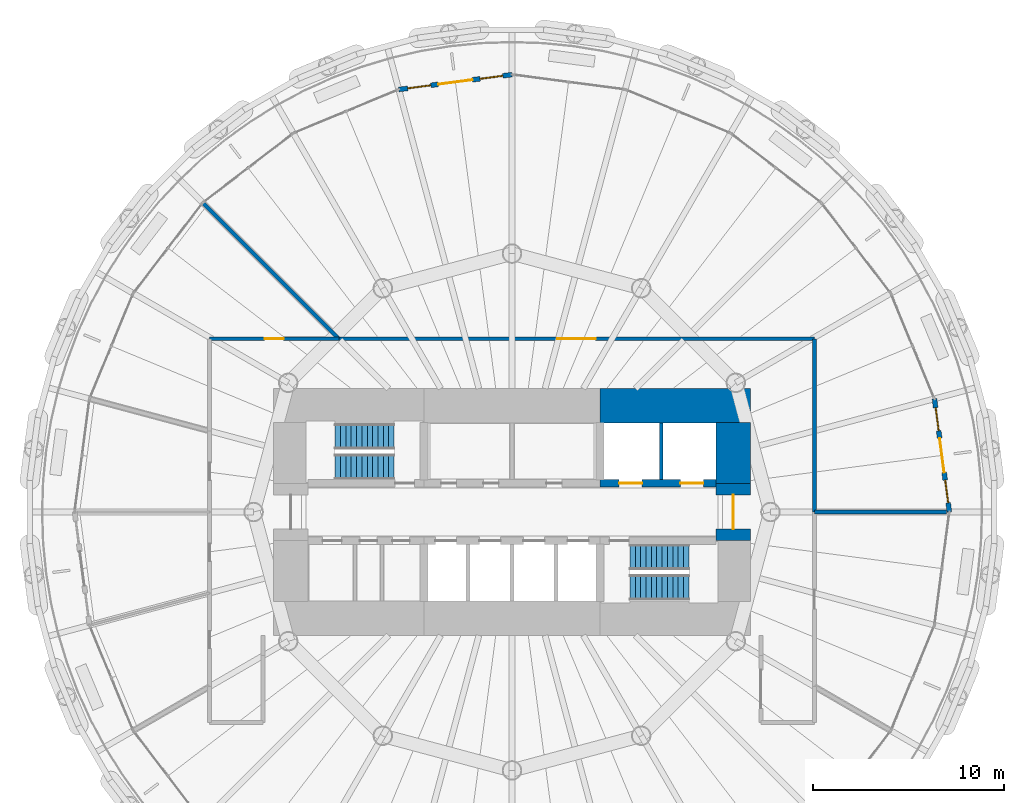
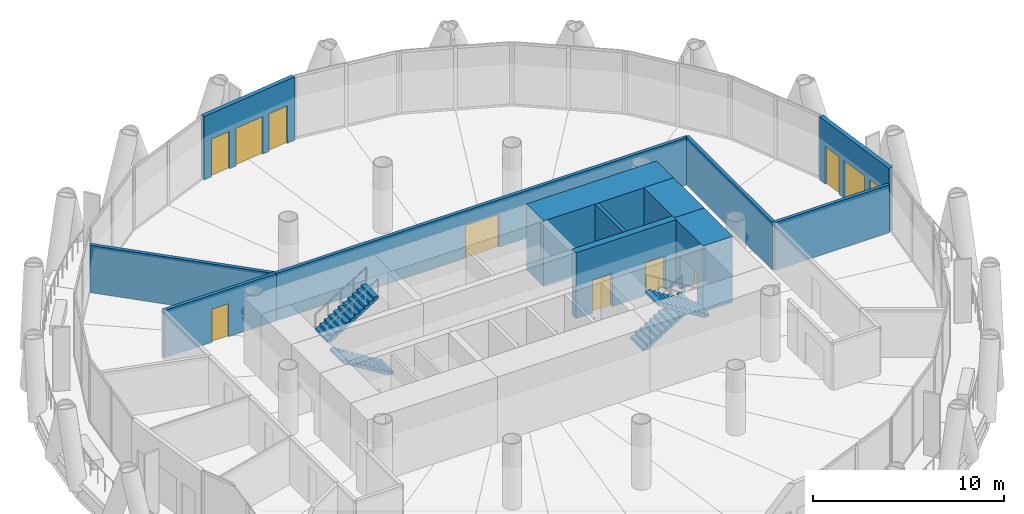
# One storey, part 11 of 15: 12 walls, 7 doors, 4 stair flights, 4 windows, 11 openings, 2 elements without a shape of their own.
"""IFC4 building model written with IfcOpenShell, lengths in metres."""

from ifc_helpers import new_model, si_unit, direction, frame, frame_2d, origin, place, context, subcontext, project, spatial, polyline, rectangle, outline, extrude, material, layer, layer_set, type_object, element, fill, aggregate, save


model = new_model("IFC4")

# Units and contexts
model_context = context("Model", 3, precision=1e-05, world=origin(), true_north=direction((0.0, 1.0)))
body_context = subcontext(model_context, "Body", "Model", "MODEL_VIEW")
ifc_project = project(units=[si_unit("LENGTHUNIT", "METRE"), si_unit("AREAUNIT", "SQUARE_METRE"), si_unit("VOLUMEUNIT", "CUBIC_METRE"), si_unit("PLANEANGLEUNIT", "RADIAN"), si_unit("MASSUNIT", "GRAM", prefix="KILO")], contexts=[model_context])

# Site, building, storey
site_placement = place(None, origin())
site = spatial("IfcSite", under=ifc_project, at=site_placement, CompositionType="ELEMENT")
building_placement = place(site_placement, origin())
building = spatial("IfcBuilding", under=site, at=building_placement, Name="Qaws Media Tower", CompositionType="ELEMENT")
storey_placement = place(building_placement, frame((0.0, 0.0, 114.199951171875)))
storey = spatial("IfcBuildingStorey", under=building, at=storey_placement, Name="L25", CompositionType="ELEMENT", Elevation=114.199951171875)

# Wall, openings, door, windows
ifc_material_1 = material(Name="Precast concrete, exposed finish", Category="concrete")
ifc_layer_1 = layer(ifc_material_1, 0.25)
ifc_layer_set_1 = layer_set([ifc_layer_1], Name="Balcony door wall 250")
wall_type_1 = type_object("IfcWallType", Name="Balcony door wall 250", PredefinedType="SOLIDWALL", material=ifc_layer_set_1)
wall_1_placement = place(storey_placement, frame((82.85009765625, 50.0, 0.0), z_axis=(0.0, 0.0, 1.0), x_axis=(-0.130560384174, 0.991440359318, 0.0)))
wall_1 = element("IfcWall", 1, at=wall_1_placement, inside=storey, type_object=wall_type_1, Name="W144 EW1 balcony door wall L25-01", PredefinedType="SOLIDWALL", context=body_context, shape_type="SweptSolid", body=[
    extrude(rectangle(XDim=5.965087890625, YDim=0.25, at=frame_2d((2.982421875, 0.0))), origin(), (0.0, 0.0, 1.0), 4.0400390625),
])
opening_1_placement = place(wall_1_placement, frame((2.08251953125, 0.0, 0.0)))
opening_1 = element("IfcOpeningElement", 2, at=opening_1_placement, cuts=wall_1, Name="Opening D7", PredefinedType="OPENING", context=body_context, shape_type="SweptSolid", body=[
    extrude(rectangle(XDim=1.800048828125, YDim=2.39990234375, at=frame_2d((0.89990234375, 1.199951171875))), frame((0.0, 0.135009765625, 0.0), z_axis=(0.0, -1.0, 0.0), x_axis=(1.0, 0.0, 0.0)), (0.0, 0.0, 1.0), 0.27001953125),
])
opening_2_placement = place(wall_1_placement, frame((0.482421875, 0.0, 0.0)))
opening_2 = element("IfcOpeningElement", 3, at=opening_2_placement, cuts=wall_1, Name="Opening W1", PredefinedType="OPENING", context=body_context, shape_type="SweptSolid", body=[
    extrude(rectangle(XDim=1.199951171875, YDim=2.39990234375, at=frame_2d((0.60009765625, 1.199951171875))), frame((0.0, 0.135009765625, 0.0), z_axis=(0.0, -1.0, 0.0), x_axis=(1.0, 0.0, 0.0)), (0.0, 0.0, 1.0), 0.27001953125),
])
opening_3_placement = place(wall_1_placement, frame((4.282470703125, 0.0, 0.0)))
opening_3 = element("IfcOpeningElement", 4, at=opening_3_placement, cuts=wall_1, Name="Opening W1", PredefinedType="OPENING", context=body_context, shape_type="SweptSolid", body=[
    extrude(rectangle(XDim=1.199951171875, YDim=2.39990234375, at=frame_2d((0.60009765625, 1.199951171875))), frame((0.0, 0.135009765625, 0.0), z_axis=(0.0, -1.0, 0.0), x_axis=(1.0, 0.0, 0.0)), (0.0, 0.0, 1.0), 0.27001953125),
])
ifc_material_2 = material(Name="Aluminium and clear glass", Category="aluminium")
door_type_1 = type_object("IfcDoorType", Name="Balcony door pair 1800", OperationType="DOUBLE_DOOR_SLIDING", PredefinedType="DOOR", material=ifc_material_2)
door_1_placement = place(opening_1_placement, origin())
door_1 = element("IfcDoor", 5, at=door_1_placement, inside=storey, type_object=door_type_1, Name="D7 balcony door L25-01 in wall W144", OperationType="DOUBLE_DOOR_SLIDING", OverallHeight=2.39990234375, OverallWidth=1.800048828125, PredefinedType="DOOR", context=body_context, shape_type="SweptSolid", body=[
    extrude(rectangle(XDim=1.800048828125, YDim=2.39990234375, at=frame_2d((0.89990234375, 1.199951171875))), frame((0.0, 0.02490234375, 0.0), z_axis=(0.0, -1.0, 0.0), x_axis=(1.0, 0.0, 0.0)), (0.0, 0.0, 1.0), 0.050048828125),
])
fill(opening_1, door_1)
ifc_material_3 = material(Name="Aluminium and clear glass", Category="aluminium")
window_type = type_object("IfcWindowType", Name="Balcony side window 1200", PartitioningType="SINGLE_PANEL", PredefinedType="WINDOW", material=ifc_material_3)
window_1_placement = place(opening_2_placement, origin())
window_1 = element("IfcWindow", 6, at=window_1_placement, inside=storey, type_object=window_type, Name="W1 balcony side light L25-01L", OverallHeight=2.39990234375, OverallWidth=1.199951171875, PartitioningType="SINGLE_PANEL", PredefinedType="WINDOW", context=body_context, shape_type="SweptSolid", body=[
    extrude(rectangle(XDim=1.199951171875, YDim=2.39990234375, at=frame_2d((0.60009765625, 1.199951171875))), frame((0.0, 0.030029296875, 0.0), z_axis=(0.0, -1.0, 0.0), x_axis=(1.0, 0.0, 0.0)), (0.0, 0.0, 1.0), 0.06005859375),
])
fill(opening_2, window_1)
window_2_placement = place(opening_3_placement, origin())
window_2 = element("IfcWindow", 7, at=window_2_placement, inside=storey, type_object=window_type, Name="W1 balcony side light L25-01R", OverallHeight=2.39990234375, OverallWidth=1.199951171875, PartitioningType="SINGLE_PANEL", PredefinedType="WINDOW", context=body_context, shape_type="SweptSolid", body=[
    extrude(rectangle(XDim=1.199951171875, YDim=2.39990234375, at=frame_2d((0.60009765625, 1.199951171875))), frame((0.0, 0.030029296875, 0.0), z_axis=(0.0, -1.0, 0.0), x_axis=(1.0, 0.0, 0.0)), (0.0, 0.0, 1.0), 0.06005859375),
])
fill(opening_3, window_2)

wall_2_placement = place(storey_placement, frame((60.0, 72.85009765625, 0.0), z_axis=(0.0, 0.0, 1.0), x_axis=(-0.991440359318, -0.130560384174, 0.0)))
wall_2 = element("IfcWall", 8, at=wall_2_placement, inside=storey, type_object=wall_type_1, Name="W143 EW1 balcony door wall L25-07", PredefinedType="SOLIDWALL", context=body_context, shape_type="SweptSolid", body=[
    extrude(rectangle(XDim=5.965087890625, YDim=0.25, at=frame_2d((2.982421875, 0.0))), origin(), (0.0, 0.0, 1.0), 4.0400390625),
])
opening_4_placement = place(wall_2_placement, frame((2.08251953125, 0.0, 0.0)))
opening_4 = element("IfcOpeningElement", 9, at=opening_4_placement, cuts=wall_2, Name="Opening D7", PredefinedType="OPENING", context=body_context, shape_type="SweptSolid", body=[
    extrude(rectangle(XDim=1.800048828125, YDim=2.39990234375, at=frame_2d((0.89990234375, 1.199951171875))), frame((0.0, 0.135009765625, 0.0), z_axis=(0.0, -1.0, 0.0), x_axis=(1.0, 0.0, 0.0)), (0.0, 0.0, 1.0), 0.27001953125),
])
opening_5_placement = place(wall_2_placement, frame((0.482421875, 0.0, 0.0)))
opening_5 = element("IfcOpeningElement", 10, at=opening_5_placement, cuts=wall_2, Name="Opening W1", PredefinedType="OPENING", context=body_context, shape_type="SweptSolid", body=[
    extrude(rectangle(XDim=1.199951171875, YDim=2.39990234375, at=frame_2d((0.60009765625, 1.199951171875))), frame((0.0, 0.135009765625, 0.0), z_axis=(0.0, -1.0, 0.0), x_axis=(1.0, 0.0, 0.0)), (0.0, 0.0, 1.0), 0.27001953125),
])
opening_6_placement = place(wall_2_placement, frame((4.282470703125, 0.0, 0.0)))
opening_6 = element("IfcOpeningElement", 11, at=opening_6_placement, cuts=wall_2, Name="Opening W1", PredefinedType="OPENING", context=body_context, shape_type="SweptSolid", body=[
    extrude(rectangle(XDim=1.199951171875, YDim=2.39990234375, at=frame_2d((0.60009765625, 1.199951171875))), frame((0.0, 0.135009765625, 0.0), z_axis=(0.0, -1.0, 0.0), x_axis=(1.0, 0.0, 0.0)), (0.0, 0.0, 1.0), 0.27001953125),
])
door_2_placement = place(opening_4_placement, origin())
door_2 = element("IfcDoor", 12, at=door_2_placement, inside=storey, type_object=door_type_1, Name="D7 balcony door L25-07 in wall W143", OperationType="DOUBLE_DOOR_SLIDING", OverallHeight=2.39990234375, OverallWidth=1.800048828125, PredefinedType="DOOR", context=body_context, shape_type="SweptSolid", body=[
    extrude(rectangle(XDim=1.800048828125, YDim=2.39990234375, at=frame_2d((0.89990234375, 1.199951171875))), frame((0.0, 0.02490234375, 0.0), z_axis=(0.0, -1.0, 0.0), x_axis=(1.0, 0.0, 0.0)), (0.0, 0.0, 1.0), 0.050048828125),
])
fill(opening_4, door_2)
window_3_placement = place(opening_5_placement, origin())
window_3 = element("IfcWindow", 13, at=window_3_placement, inside=storey, type_object=window_type, Name="W1 balcony side light L25-07L", OverallHeight=2.39990234375, OverallWidth=1.199951171875, PartitioningType="SINGLE_PANEL", PredefinedType="WINDOW", context=body_context, shape_type="SweptSolid", body=[
    extrude(rectangle(XDim=1.199951171875, YDim=2.39990234375, at=frame_2d((0.60009765625, 1.199951171875))), frame((0.0, 0.030029296875, 0.0), z_axis=(0.0, -1.0, 0.0), x_axis=(1.0, 0.0, 0.0)), (0.0, 0.0, 1.0), 0.06005859375),
])
fill(opening_5, window_3)
window_4_placement = place(opening_6_placement, origin())
window_4 = element("IfcWindow", 14, at=window_4_placement, inside=storey, type_object=window_type, Name="W1 balcony side light L25-07R", OverallHeight=2.39990234375, OverallWidth=1.199951171875, PartitioningType="SINGLE_PANEL", PredefinedType="WINDOW", context=body_context, shape_type="SweptSolid", body=[
    extrude(rectangle(XDim=1.199951171875, YDim=2.39990234375, at=frame_2d((0.60009765625, 1.199951171875))), frame((0.0, 0.030029296875, 0.0), z_axis=(0.0, -1.0, 0.0), x_axis=(1.0, 0.0, 0.0)), (0.0, 0.0, 1.0), 0.06005859375),
])
fill(opening_6, window_4)

# Wall, openings, doors
ifc_material_4 = material(Name="Concrete C60/75", Category="concrete")
ifc_layer_2 = layer(ifc_material_4, 0.39990234375)
ifc_layer_set_2 = layer_set([ifc_layer_2], Name="Core inner wall 400")
wall_type_2 = type_object("IfcWallType", Name="Core inner wall 400", PredefinedType="SHEAR", material=ifc_layer_set_2)
wall_3_placement = place(storey_placement, frame((64.60009765625, 51.5, 0.0), z_axis=(0.0, 0.0, 1.0), x_axis=(1.0, 0.0, 0.0)))
wall_3 = element("IfcWall", 15, at=wall_3_placement, inside=storey, type_object=wall_type_2, Name="W326 SW4 core wall SPNE L25", PredefinedType="SHEAR", context=body_context, shape_type="SweptSolid", body=[
    extrude(rectangle(XDim=6.06982421875, YDim=0.39990234375, at=frame_2d((3.034912109375, 0.0))), origin(), (0.0, 0.0, 1.0), 4.199951171875),
])
opening_7_placement = place(wall_3_placement, frame((1.0, 0.0, 0.0)))
opening_7 = element("IfcOpeningElement", 16, at=opening_7_placement, cuts=wall_3, Name="Opening LD2", PredefinedType="OPENING", context=body_context, shape_type="SweptSolid", body=[
    extrude(rectangle(XDim=1.199951171875, YDim=2.10009765625, at=frame_2d((0.60009765625, 1.050048828125))), frame((0.0, 0.2099609375, 0.0), z_axis=(0.0, -1.0, 0.0), x_axis=(1.0, 0.0, 0.0)), (0.0, 0.0, 1.0), 0.419921875),
])
opening_8_placement = place(wall_3_placement, frame((4.199951171875, 0.0, 0.0)))
opening_8 = element("IfcOpeningElement", 17, at=opening_8_placement, cuts=wall_3, Name="Opening LD2", PredefinedType="OPENING", context=body_context, shape_type="SweptSolid", body=[
    extrude(rectangle(XDim=1.199951171875, YDim=2.10009765625, at=frame_2d((0.60009765625, 1.050048828125))), frame((0.0, 0.2099609375, 0.0), z_axis=(0.0, -1.0, 0.0), x_axis=(1.0, 0.0, 0.0)), (0.0, 0.0, 1.0), 0.419921875),
])
ifc_material_5 = material(Name="Steel, fire rated", Category="steel")
door_type_2 = type_object("IfcDoorType", Name="Lift landing door 1200", OperationType="SLIDING_TO_LEFT", PredefinedType="DOOR", material=ifc_material_5)
door_3_placement = place(opening_7_placement, origin())
door_3 = element("IfcDoor", 18, at=door_3_placement, inside=storey, type_object=door_type_2, Name="FL1 landing door L25 in wall W326", OperationType="SLIDING_TO_LEFT", OverallHeight=2.10009765625, OverallWidth=1.199951171875, PredefinedType="DOOR", context=body_context, shape_type="SweptSolid", body=[
    extrude(rectangle(XDim=1.199951171875, YDim=2.10009765625, at=frame_2d((0.60009765625, 1.050048828125))), frame((0.0, 0.02490234375, 0.0), z_axis=(0.0, -1.0, 0.0), x_axis=(1.0, 0.0, 0.0)), (0.0, 0.0, 1.0), 0.050048828125),
])
fill(opening_7, door_3)
door_4_placement = place(opening_8_placement, origin())
door_4 = element("IfcDoor", 19, at=door_4_placement, inside=storey, type_object=door_type_2, Name="FL2 landing door L25 in wall W326", OperationType="SLIDING_TO_LEFT", OverallHeight=2.10009765625, OverallWidth=1.199951171875, PredefinedType="DOOR", context=body_context, shape_type="SweptSolid", body=[
    extrude(rectangle(XDim=1.199951171875, YDim=2.10009765625, at=frame_2d((0.60009765625, 1.050048828125))), frame((0.0, 0.02490234375, 0.0), z_axis=(0.0, -1.0, 0.0), x_axis=(1.0, 0.0, 0.0)), (0.0, 0.0, 1.0), 0.050048828125),
])
fill(opening_8, door_4)

# Wall
ifc_material_6 = material(Name="Concrete C60/75", Category="concrete")
ifc_layer_3 = layer(ifc_material_6, 1.800048828125)
ifc_layer_set_3 = layer_set([ifc_layer_3], Name="Core wall 1800")
wall_type_3 = type_object("IfcWallType", Name="Core wall 1800", PredefinedType="SHEAR", material=ifc_layer_set_3)
wall_4_placement = place(storey_placement, frame((64.60009765625, 55.550048828125, 0.0), z_axis=(0.0, 0.0, 1.0), x_axis=(1.0, 0.0, 0.0)))
element("IfcWall", 20, at=wall_4_placement, inside=storey, type_object=wall_type_3, Name="W423 SW11 core wall NE L25", PredefinedType="SHEAR", context=body_context, shape_type="SweptSolid", body=[
    extrude(rectangle(XDim=7.849853515625, YDim=1.800048828125, at=frame_2d((3.9248046875, 0.0))), origin(), (0.0, 0.0, 1.0), 4.199951171875),
])

# Wall, opening, door
wall_5_placement = place(storey_placement, frame((71.550048828125, 48.5, 0.0), z_axis=(0.0, 0.0, 1.0), x_axis=(0.0, 1.0, 0.0)))
wall_5 = element("IfcWall", 21, at=wall_5_placement, inside=storey, type_object=wall_type_3, Name="W427 SW11 core wall E L25", PredefinedType="SHEAR", context=body_context, shape_type="SweptSolid", body=[
    extrude(rectangle(XDim=3.0, YDim=1.800048828125, at=frame_2d((1.5, 0.0))), origin(), (0.0, 0.0, 1.0), 4.199951171875),
])
opening_9_placement = place(wall_5_placement, frame((0.60009765625, 0.0, 0.0)))
opening_9 = element("IfcOpeningElement", 22, at=opening_9_placement, cuts=wall_5, Name="Opening D2", PredefinedType="OPENING", context=body_context, shape_type="SweptSolid", body=[
    extrude(rectangle(XDim=1.800048828125, YDim=2.10009765625, at=frame_2d((0.89990234375, 1.050048828125))), frame((0.0, 0.909912109375, 0.0), z_axis=(0.0, -1.0, 0.0), x_axis=(1.0, 0.0, 0.0)), (0.0, 0.0, 1.0), 1.820068359375),
])
ifc_material_7 = material(Name="Steel and glass, fire rated", Category="steel")
door_type_3 = type_object("IfcDoorType", Name="Lobby door pair 1800 FD60", OperationType="DOUBLE_DOOR_DOUBLE_SWING", PredefinedType="DOOR", material=ifc_material_7)
door_5_placement = place(opening_9_placement, origin())
door_5 = element("IfcDoor", 23, at=door_5_placement, inside=storey, type_object=door_type_3, Name="D2 core lobby door E L25 in wall W427", OperationType="DOUBLE_DOOR_DOUBLE_SWING", OverallHeight=2.10009765625, OverallWidth=1.800048828125, PredefinedType="DOOR", context=body_context, shape_type="SweptSolid", body=[
    extrude(rectangle(XDim=1.800048828125, YDim=2.10009765625, at=frame_2d((0.89990234375, 1.050048828125))), frame((0.0, 0.02490234375, 0.0), z_axis=(0.0, -1.0, 0.0), x_axis=(1.0, 0.0, 0.0)), (0.0, 0.0, 1.0), 0.050048828125),
])
fill(opening_9, door_5)

# Wall
wall_6_placement = place(storey_placement, frame((71.550048828125, 51.5, 0.0), z_axis=(0.0, 0.0, 1.0), x_axis=(0.0, 1.0, 0.0)))
element("IfcWall", 24, at=wall_6_placement, inside=storey, type_object=wall_type_3, Name="W425 SW11 core wall EN L25", PredefinedType="SHEAR", context=body_context, shape_type="SweptSolid", body=[
    extrude(rectangle(XDim=3.169921875, YDim=1.800048828125, at=frame_2d((1.5849609375, 0.0))), origin(), (0.0, 0.0, 1.0), 4.199951171875),
])

# Wall, opening, door
ifc_material_8 = material(Name="Gypsum board on galvanised metal studs, acoustic double stud, deflection head", Category="gypsum")
ifc_layer_4 = layer(ifc_material_8, 0.199951171875)
ifc_layer_set_4 = layer_set([ifc_layer_4], Name="Room partition 200")
wall_type_4 = type_object("IfcWallType", Name="Room partition 200", PredefinedType="PARTITIONING", material=ifc_layer_set_4)
wall_7_placement = place(storey_placement, frame((44.199951171875, 59.050048828125, 0.0), z_axis=(0.0, 0.0, 1.0), x_axis=(1.0, 0.0, 0.0)))
wall_7 = element("IfcWall", 25, at=wall_7_placement, inside=storey, type_object=wall_type_4, Name="W1220 IW3 partition L25", PredefinedType="PARTITIONING", context=body_context, shape_type="SweptSolid", body=[
    extrude(rectangle(XDim=6.75, YDim=0.199951171875, at=frame_2d((3.375, 0.0))), origin(), (0.0, 0.0, 1.0), 3.02001953125),
])
opening_10_placement = place(wall_7_placement, frame((2.875, 0.0, 0.0)))
opening_10 = element("IfcOpeningElement", 26, at=opening_10_placement, cuts=wall_7, Name="Opening D5", PredefinedType="OPENING", context=body_context, shape_type="SweptSolid", body=[
    extrude(rectangle(XDim=1.0, YDim=2.10009765625, at=frame_2d((0.5, 1.050048828125))), frame((0.0, 0.10986328125, 0.0), z_axis=(0.0, -1.0, 0.0), x_axis=(1.0, 0.0, 0.0)), (0.0, 0.0, 1.0), 0.219970703125),
])
ifc_material_9 = material(Name="Timber veneered, acoustic seal", Category="wood")
door_type_4 = type_object("IfcDoorType", Name="Room door 1000", OperationType="SINGLE_SWING_LEFT", PredefinedType="DOOR", material=ifc_material_9)
door_6_placement = place(opening_10_placement, origin())
door_6 = element("IfcDoor", 27, at=door_6_placement, inside=storey, type_object=door_type_4, Name="D5 Client meeting room door L25 in wall W1220", OperationType="SINGLE_SWING_LEFT", OverallHeight=2.10009765625, OverallWidth=1.0, PredefinedType="DOOR", context=body_context, shape_type="SweptSolid", body=[
    extrude(rectangle(XDim=1.0, YDim=2.10009765625, at=frame_2d((0.5, 1.050048828125))), frame((0.0, 0.02490234375, 0.0), z_axis=(0.0, -1.0, 0.0), x_axis=(1.0, 0.0, 0.0)), (0.0, 0.0, 1.0), 0.050048828125),
])
fill(opening_10, door_6)

wall_8_placement = place(storey_placement, frame((50.949951171875, 59.050048828125, 0.0), z_axis=(0.0, 0.0, 1.0), x_axis=(1.0, 0.0, 0.0)))
wall_8 = element("IfcWall", 28, at=wall_8_placement, inside=storey, type_object=wall_type_4, Name="W1226 IW3 partition L25", PredefinedType="PARTITIONING", context=body_context, shape_type="SweptSolid", body=[
    extrude(rectangle(XDim=24.85009765625, YDim=0.199951171875, at=frame_2d((12.425048828125, 0.0))), origin(), (0.0, 0.0, 1.0), 3.02001953125),
])
opening_11_placement = place(wall_8_placement, frame((11.425048828125, 0.0, 0.0)))
opening_11 = element("IfcOpeningElement", 29, at=opening_11_placement, cuts=wall_8, Name="Opening D6", PredefinedType="OPENING", context=body_context, shape_type="SweptSolid", body=[
    extrude(rectangle(XDim=2.0, YDim=2.10009765625, at=frame_2d((1.0, 1.050048828125))), frame((0.0, 0.10986328125, 0.0), z_axis=(0.0, -1.0, 0.0), x_axis=(1.0, 0.0, 0.0)), (0.0, 0.0, 1.0), 0.219970703125),
])
ifc_material_10 = material(Name="Steel, acoustic, fire rated", Category="steel")
door_type_5 = type_object("IfcDoorType", Name="Room door pair 2000", OperationType="DOUBLE_DOOR_DOUBLE_SWING", PredefinedType="DOOR", material=ifc_material_10)
door_7_placement = place(opening_11_placement, origin())
door_7 = element("IfcDoor", 30, at=door_7_placement, inside=storey, type_object=door_type_5, Name="D6 Sales office door L25 in wall W1226", OperationType="DOUBLE_DOOR_DOUBLE_SWING", OverallHeight=2.10009765625, OverallWidth=2.0, PredefinedType="DOOR", context=body_context, shape_type="SweptSolid", body=[
    extrude(rectangle(XDim=2.0, YDim=2.10009765625, at=frame_2d((1.0, 1.050048828125))), frame((0.0, 0.02490234375, 0.0), z_axis=(0.0, -1.0, 0.0), x_axis=(1.0, 0.0, 0.0)), (0.0, 0.0, 1.0), 0.050048828125),
])
fill(opening_11, door_7)

# Walls
wall_9_placement = place(storey_placement, frame((75.800048828125, 59.050048828125, 0.0), z_axis=(0.0, 0.0, 1.0), x_axis=(0.0, -1.0, 0.0)))
element("IfcWall", 31, at=wall_9_placement, inside=storey, type_object=wall_type_4, Name="W1235 IW3 partition L25", PredefinedType="PARTITIONING", context=body_context, shape_type="SweptSolid", body=[
    extrude(rectangle(XDim=9.050048828125, YDim=0.199951171875, at=frame_2d((4.52490234375, 0.0))), origin(), (0.0, 0.0, 1.0), 3.0400390625),
])
wall_10_placement = place(storey_placement, frame((75.800048828125, 50.0, 0.0), z_axis=(0.0, 0.0, 1.0), x_axis=(1.0, 0.0, 0.0)))
element("IfcWall", 32, at=wall_10_placement, inside=storey, type_object=wall_type_4, Name="W1066 IW3 partition L25", PredefinedType="PARTITIONING", context=body_context, shape_type="SweptSolid", body=[
    extrude(rectangle(XDim=6.909912109375, YDim=0.199951171875, at=frame_2d((3.455078125, 0.0))), origin(), (0.0, 0.0, 1.0), 3.0400390625),
])
wall_11_placement = place(storey_placement, frame((50.948974609375, 59.051025390625, 0.0), z_axis=(0.0, 0.0, 1.0), x_axis=(-0.707106781187, 0.707106781187, 0.0)))
element("IfcWall", 33, at=wall_11_placement, inside=storey, type_object=wall_type_4, Name="W1238 IW3 partition L25", PredefinedType="PARTITIONING", context=body_context, shape_type="SweptSolid", body=[
    extrude(rectangle(XDim=10.010009765625, YDim=0.199951171875, at=frame_2d((5.0048828125, 0.0))), origin(), (0.0, 0.0, 1.0), 3.02001953125),
])
ifc_material_11 = material(Name="Fire-rated gypsum board shaft wall on galvanised metal studs, deflection head", Category="gypsum")
ifc_layer_5 = layer(ifc_material_11, 0.199951171875)
ifc_layer_set_5 = layer_set([ifc_layer_5], Name="Shaft wall 200")
wall_type_5 = type_object("IfcWallType", Name="Shaft wall 200", PredefinedType="PARTITIONING", material=ifc_layer_set_5)
wall_12_placement = place(storey_placement, frame((67.800048828125, 51.699951171875, 0.0), z_axis=(0.0, 0.0, 1.0), x_axis=(0.0, 1.0, 0.0)))
element("IfcWall", 34, at=wall_12_placement, inside=storey, type_object=wall_type_5, Name="W1863 IW1 shaft wall FL L25", PredefinedType="PARTITIONING", context=body_context, shape_type="SweptSolid", body=[
    extrude(rectangle(XDim=2.949951171875, YDim=0.199951171875, at=frame_2d((1.47509765625, 0.0))), origin(), (0.0, 0.0, 1.0), 4.199951171875),
])

# Stair, stair flights
ifc_material_12 = material(Name="Concrete C40/50", Category="concrete")
stair_type = type_object("IfcStairType", Name="Exit stair", PredefinedType="HALF_TURN_STAIR", material=ifc_material_12)
stair_1_placement = place(storey_placement, origin())
stair_1 = element("IfcStair", 35, at=stair_1_placement, inside=storey, type_object=stair_type, Name="S1 exit stair L25", PredefinedType="HALF_TURN_STAIR")
ifc_material_13 = material(Name="Concrete C40/50", Category="concrete")
stair_flight_type = type_object("IfcStairFlightType", Name="Stair flight 1310", PredefinedType="STRAIGHT", material=ifc_material_13)
stair_flight_1_placement = place(storey_placement, frame((53.840087890625, 52.35498046875, 0.0), z_axis=(0.0, 0.0, 1.0), x_axis=(-1.0, 0.0, 0.0)))
stair_flight_1 = element("IfcStairFlight", 36, at=stair_flight_1_placement, type_object=stair_flight_type, Name="S1 flight 1", NumberOfRisers=12, NumberOfTreads=11, PredefinedType="STRAIGHT", RiserHeight=0.175, TreadLength=0.28, context=body_context, shape_type="SweptSolid", body=[
    extrude(outline(polyline([(0.0, 0.0), (0.0, 0.175048828125), (0.280029296875, 0.175048828125), (0.280029296875, 0.35009765625), (0.56005859375, 0.35009765625), (0.56005859375, 0.52490234375), (0.840087890625, 0.52490234375), (0.840087890625, 0.699951171875), (1.1201171875, 0.699951171875), (1.1201171875, 0.875), (1.39990234375, 0.875), (1.39990234375, 1.050048828125), (1.679931640625, 1.050048828125), (1.679931640625, 1.22509765625), (1.9599609375, 1.22509765625), (1.9599609375, 1.39990234375), (2.239990234375, 1.39990234375), (2.239990234375, 1.574951171875), (2.52001953125, 1.574951171875), (2.52001953125, 1.75), (2.800048828125, 1.75), (2.800048828125, 1.925048828125), (3.080078125, 1.925048828125), (3.080078125, 2.10009765625), (3.080078125, 1.748291015625), (0.28271484375, 0.0), (0.0, 0.0)])), frame((0.0, 0.655029296875, 0.0), z_axis=(0.0, -1.0, 0.0), x_axis=(1.0, 0.0, 0.0)), (0.0, 0.0, 1.0), 1.31005859375),
])
stair_flight_2_placement = place(storey_placement, frame((50.760009765625, 53.945068359375, 2.10009765625), z_axis=(0.0, 0.0, 1.0), x_axis=(1.0, 0.0, 0.0)))
stair_flight_2 = element("IfcStairFlight", 37, at=stair_flight_2_placement, type_object=stair_flight_type, Name="S1 flight 2", NumberOfRisers=12, NumberOfTreads=11, PredefinedType="STRAIGHT", RiserHeight=0.175, TreadLength=0.28, context=body_context, shape_type="SweptSolid", body=[
    extrude(outline(polyline([(0.0, 0.0), (0.0, 0.175048828125), (0.280029296875, 0.175048828125), (0.280029296875, 0.35009765625), (0.56005859375, 0.35009765625), (0.56005859375, 0.52490234375), (0.840087890625, 0.52490234375), (0.840087890625, 0.699951171875), (1.1201171875, 0.699951171875), (1.1201171875, 0.875), (1.39990234375, 0.875), (1.39990234375, 1.050048828125), (1.679931640625, 1.050048828125), (1.679931640625, 1.22509765625), (1.9599609375, 1.22509765625), (1.9599609375, 1.39990234375), (2.239990234375, 1.39990234375), (2.239990234375, 1.574951171875), (2.52001953125, 1.574951171875), (2.52001953125, 1.75), (2.800048828125, 1.75), (2.800048828125, 1.925048828125), (3.080078125, 1.925048828125), (3.080078125, 2.10009765625), (3.080078125, 1.748291015625), (0.28271484375, 0.0), (0.0, 0.0)])), frame((0.0, 0.655029296875, 0.0), z_axis=(0.0, -1.0, 0.0), x_axis=(1.0, 0.0, 0.0)), (0.0, 0.0, 1.0), 1.31005859375),
])
aggregate(stair_1, [stair_flight_1, stair_flight_2])

stair_2_placement = place(storey_placement, origin())
stair_2 = element("IfcStair", 38, at=stair_2_placement, inside=storey, type_object=stair_type, Name="S2 exit stair L25", PredefinedType="HALF_TURN_STAIR")
stair_flight_3_placement = place(storey_placement, frame((66.159912109375, 47.64501953125, 0.0), z_axis=(0.0, 0.0, 1.0), x_axis=(1.0, 0.0, 0.0)))
stair_flight_3 = element("IfcStairFlight", 39, at=stair_flight_3_placement, type_object=stair_flight_type, Name="S2 flight 1", NumberOfRisers=12, NumberOfTreads=11, PredefinedType="STRAIGHT", RiserHeight=0.175, TreadLength=0.28, context=body_context, shape_type="SweptSolid", body=[
    extrude(outline(polyline([(0.0, 0.0), (0.0, 0.175048828125), (0.280029296875, 0.175048828125), (0.280029296875, 0.35009765625), (0.56005859375, 0.35009765625), (0.56005859375, 0.52490234375), (0.840087890625, 0.52490234375), (0.840087890625, 0.699951171875), (1.1201171875, 0.699951171875), (1.1201171875, 0.875), (1.39990234375, 0.875), (1.39990234375, 1.050048828125), (1.679931640625, 1.050048828125), (1.679931640625, 1.22509765625), (1.9599609375, 1.22509765625), (1.9599609375, 1.39990234375), (2.239990234375, 1.39990234375), (2.239990234375, 1.574951171875), (2.52001953125, 1.574951171875), (2.52001953125, 1.75), (2.800048828125, 1.75), (2.800048828125, 1.925048828125), (3.080078125, 1.925048828125), (3.080078125, 2.10009765625), (3.080078125, 1.748291015625), (0.28271484375, 0.0), (0.0, 0.0)])), frame((0.0, 0.655029296875, 0.0), z_axis=(0.0, -1.0, 0.0), x_axis=(1.0, 0.0, 0.0)), (0.0, 0.0, 1.0), 1.31005859375),
])
stair_flight_4_placement = place(storey_placement, frame((69.239990234375, 46.054931640625, 2.10009765625), z_axis=(0.0, 0.0, 1.0), x_axis=(-1.0, 0.0, 0.0)))
stair_flight_4 = element("IfcStairFlight", 40, at=stair_flight_4_placement, type_object=stair_flight_type, Name="S2 flight 2", NumberOfRisers=12, NumberOfTreads=11, PredefinedType="STRAIGHT", RiserHeight=0.175, TreadLength=0.28, context=body_context, shape_type="SweptSolid", body=[
    extrude(outline(polyline([(0.0, 0.0), (0.0, 0.175048828125), (0.280029296875, 0.175048828125), (0.280029296875, 0.35009765625), (0.56005859375, 0.35009765625), (0.56005859375, 0.52490234375), (0.840087890625, 0.52490234375), (0.840087890625, 0.699951171875), (1.1201171875, 0.699951171875), (1.1201171875, 0.875), (1.39990234375, 0.875), (1.39990234375, 1.050048828125), (1.679931640625, 1.050048828125), (1.679931640625, 1.22509765625), (1.9599609375, 1.22509765625), (1.9599609375, 1.39990234375), (2.239990234375, 1.39990234375), (2.239990234375, 1.574951171875), (2.52001953125, 1.574951171875), (2.52001953125, 1.75), (2.800048828125, 1.75), (2.800048828125, 1.925048828125), (3.080078125, 1.925048828125), (3.080078125, 2.10009765625), (3.080078125, 1.748291015625), (0.28271484375, 0.0), (0.0, 0.0)])), frame((0.0, 0.655029296875, 0.0), z_axis=(0.0, -1.0, 0.0), x_axis=(1.0, 0.0, 0.0)), (0.0, 0.0, 1.0), 1.31005859375),
])
aggregate(stair_2, [stair_flight_3, stair_flight_4])

save(model, "model.ifc")
